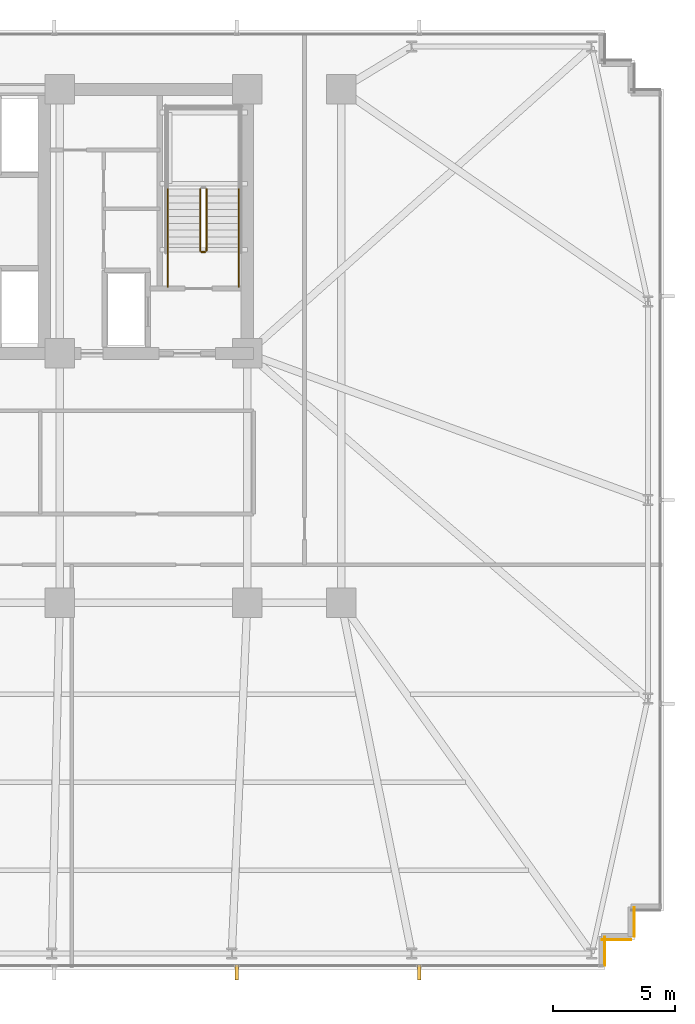
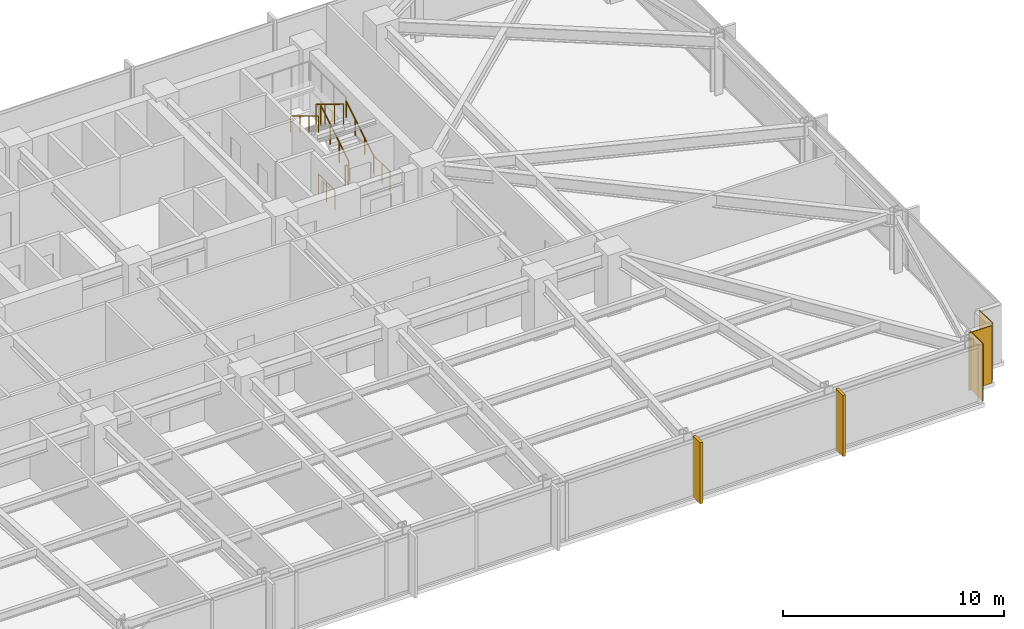
# One storey, part 29 of 32: 7 railings, 3 coverings, 2 shading devices.
"""IFC4 building model written with IfcOpenShell, lengths in metres."""

from ifc_helpers import new_model, si_unit, direction, frame, frame_2d, origin, origin_2d, place, context, subcontext, project, spatial, rectangle, circle, extrude, material, layer, layer_set, type_object, element, save


model = new_model("IFC4")

# Units and contexts
model_context = context("Model", 3, precision=1e-05, world=origin(), true_north=direction((0.0, 1.0)))
body_context = subcontext(model_context, "Body", "Model", "MODEL_VIEW")
ifc_project = project(units=[si_unit("LENGTHUNIT", "METRE"), si_unit("AREAUNIT", "SQUARE_METRE"), si_unit("VOLUMEUNIT", "CUBIC_METRE"), si_unit("PLANEANGLEUNIT", "RADIAN"), si_unit("MASSUNIT", "GRAM", prefix="KILO")], contexts=[model_context])

# Site, building, storey
site_placement = place(None, origin())
site = spatial("IfcSite", under=ifc_project, at=site_placement, CompositionType="ELEMENT")
building_placement = place(site_placement, origin())
building = spatial("IfcBuilding", under=site, at=building_placement, Name="Yelkora Congress Tower", CompositionType="ELEMENT")
storey_placement = place(building_placement, frame((0.0, 0.0, 57.60009765625)))
storey = spatial("IfcBuildingStorey", under=building, at=storey_placement, Name="L14", CompositionType="ELEMENT", Elevation=57.60009765625)

# Coverings
ifc_material_1 = material(Name="Anatolian bush-hammered limestone", Category="masonry")
ifc_layer_1 = layer(ifc_material_1, 0.0400390625)
ifc_layer_set_1 = layer_set([ifc_layer_1], Name="Anatolian bush-hammered limestone")
covering_type = type_object("IfcCoveringType", Name="COV-CLAD-SPANDREL-40", PredefinedType="CLADDING", material=ifc_layer_set_1)
for number, where, z_axis, x_axis, name in (
    (1, (69.594970703125, 12.739990234375, 0.0), (0.0, 0.0, 1.0), (0.0, -1.0, 0.0), "L14 Anatolian Limestone Cladding EW-L14-SR17"),
    (2, (69.4599609375, 11.405029296875, 0.0), (0.0, 0.0, 1.0), (-1.0, 0.0, 0.0), "L14 Anatolian Limestone Cladding EW-L14-SR18"),
    (3, (68.39501953125, 11.5400390625, 0.0), (0.0, 0.0, 1.0), (0.0, -1.0, 0.0), "L14 Anatolian Limestone Cladding EW-L14-SR19"),
):
    element("IfcCovering", number, at=place(storey_placement, frame(where, z_axis=z_axis, x_axis=x_axis)), inside=storey, type_object=covering_type, Name=name, PredefinedType="CLADDING", context=body_context, shape_type="SweptSolid", body=[
        extrude(rectangle(XDim=1.199951171875, YDim=0.0400390625, at=frame_2d((0.60009765625, 0.0))), origin(), (0.0, 0.0, 1.0), 3.179931640625),
    ])

# Railings
ifc_material_2 = material(Name="Painted galvanised steel stair well guard with vertical infill", Category="steel")
ifc_layer_2 = layer(ifc_material_2, 0.06005859375)
ifc_layer_set_2 = layer_set([ifc_layer_2], Name="Painted galvanised steel stair well guard with vertical infill")
railing_type_1 = type_object("IfcRailingType", Name="RAIL-STAIR-GUARD-1120", PredefinedType="GUARDRAIL", material=ifc_layer_set_2)
railing_1_placement = place(storey_placement, frame((52.090087890625, 39.60009765625, 0.169921875)))
element("IfcRailing", 4, at=railing_1_placement, inside=storey, type_object=railing_type_1, Name="ST-02 L14 Stair Well Guardrail 1", PredefinedType="GUARDRAIL", context=body_context, shape_type="SweptSolid", body=[
    extrude(circle(Radius=0.02392578125, at=origin_2d()), frame((0.0, 0.0, 1.09619140625), z_axis=(0.0, 0.85478489116, 0.518982456201), x_axis=(-1.0, 0.0, 0.0)), (0.0, 0.0, 1.0), 2.9482421875),
    extrude(circle(Radius=0.02099609375, at=origin_2d()), origin(), (0.0, 0.0, 1.0), 1.072021484375),
    extrude(circle(Radius=0.02099609375, at=origin_2d()), frame((0.0, 0.840087890625, 0.510009765625)), (0.0, 0.0, 1.0), 1.072021484375),
    extrude(circle(Radius=0.02099609375, at=origin_2d()), frame((0.0, 1.679931640625, 1.02001953125)), (0.0, 0.0, 1.0), 1.072021484375),
    extrude(circle(Radius=0.02099609375, at=origin_2d()), frame((0.0, 2.52001953125, 1.530029296875)), (0.0, 0.0, 1.0), 1.072021484375),
])
railing_2_placement = place(storey_placement, frame((51.830078125, 42.1201171875, 1.869873046875)))
element("IfcRailing", 5, at=railing_2_placement, inside=storey, type_object=railing_type_1, Name="ST-02 L14 Stair Well Guardrail 6", PredefinedType="GUARDRAIL", context=body_context, shape_type="SweptSolid", body=[
    extrude(circle(Radius=0.02392578125, at=origin_2d()), frame((0.0, 0.0, 1.09619140625), z_axis=(0.0, -0.85478489116, 0.518982456201), x_axis=(1.0, 0.0, 0.0)), (0.0, 0.0, 1.0), 2.9482421875),
    extrude(circle(Radius=0.02099609375, at=origin_2d()), origin(), (0.0, 0.0, 1.0), 1.072021484375),
    extrude(circle(Radius=0.02099609375, at=origin_2d()), frame((0.0, -0.840087890625, 0.510009765625)), (0.0, 0.0, 1.0), 1.072021484375),
    extrude(circle(Radius=0.02099609375, at=origin_2d()), frame((0.0, -1.679931640625, 1.02001953125)), (0.0, 0.0, 1.0), 1.072021484375),
    extrude(circle(Radius=0.02099609375, at=origin_2d()), frame((0.0, -2.52001953125, 1.530029296875)), (0.0, 0.0, 1.0), 1.072021484375),
])
railing_3_placement = place(storey_placement, frame((52.0400390625, 39.550048828125, 0.0)))
element("IfcRailing", 6, at=railing_3_placement, inside=storey, type_object=railing_type_1, Name="ST-02 L14 Stair Well Guardrail 7", PredefinedType="GUARDRAIL", context=body_context, shape_type="SweptSolid", body=[
    extrude(circle(Radius=0.02392578125, at=origin_2d()), frame((0.0, 0.0, 1.09619140625), z_axis=(-1.0, 0.0, 0.0), x_axis=(0.0, -1.0, 0.0)), (0.0, 0.0, 1.0), 0.16015625),
    extrude(circle(Radius=0.02099609375, at=origin_2d()), origin(), (0.0, 0.0, 1.0), 1.072021484375),
    extrude(circle(Radius=0.02099609375, at=origin_2d()), frame((-0.16015625, 0.0, 0.0)), (0.0, 0.0, 1.0), 1.072021484375),
])
for number, where, name in (
    (7, (53.409912109375, 38.1201171875, 0.0), "ST-02 L14 Stair Well Guardrail 8"),
    (8, (50.510009765625, 38.1201171875, 0.0), "ST-02 L14 Stair Well Guardrail 9"),
):
    element("IfcRailing", number, at=place(storey_placement, frame(where)), inside=storey, type_object=railing_type_1, Name=name, PredefinedType="GUARDRAIL", context=body_context, shape_type="SweptSolid", body=[
        extrude(circle(Radius=0.02392578125, at=origin_2d()), frame((0.0, 0.0, 1.09619140625), z_axis=(0.0, 1.0, 0.0), x_axis=(-1.0, 0.0, 0.0)), (0.0, 0.0, 1.0), 1.47998046875),
        extrude(circle(Radius=0.02099609375, at=origin_2d()), origin(), (0.0, 0.0, 1.0), 1.072021484375),
        extrude(circle(Radius=0.02099609375, at=origin_2d()), frame((0.0, 0.739990234375, 0.0)), (0.0, 0.0, 1.0), 1.072021484375),
        extrude(circle(Radius=0.02099609375, at=origin_2d()), frame((0.0, 1.47998046875, 0.0)), (0.0, 0.0, 1.0), 1.072021484375),
    ])
ifc_material_3 = material(Name="Brushed stainless steel tubular handrail", Category="steel")
ifc_layer_3 = layer(ifc_material_3, 0.050048828125)
ifc_layer_set_3 = layer_set([ifc_layer_3], Name="Brushed stainless steel tubular handrail")
railing_type_2 = type_object("IfcRailingType", Name="RAIL-STAIR-HAND-920", PredefinedType="HANDRAIL", material=ifc_layer_set_3)
railing_4_placement = place(storey_placement, frame((53.409912109375, 39.60009765625, 0.169921875)))
element("IfcRailing", 9, at=railing_4_placement, inside=storey, type_object=railing_type_2, Name="ST-02 L14 Pitch Handrail 1", PredefinedType="HANDRAIL", context=body_context, shape_type="SweptSolid", body=[
    extrude(circle(Radius=0.02392578125, at=origin_2d()), frame((0.0, 0.0, 0.89599609375), z_axis=(0.0, 0.85478489116, 0.518982456201), x_axis=(-1.0, 0.0, 0.0)), (0.0, 0.0, 1.0), 2.9482421875),
    extrude(circle(Radius=0.02099609375, at=origin_2d()), origin(), (0.0, 0.0, 1.0), 0.871826171875),
    extrude(circle(Radius=0.02099609375, at=origin_2d()), frame((0.0, 0.840087890625, 0.510009765625)), (0.0, 0.0, 1.0), 0.871826171875),
    extrude(circle(Radius=0.02099609375, at=origin_2d()), frame((0.0, 1.679931640625, 1.02001953125)), (0.0, 0.0, 1.0), 0.871826171875),
    extrude(circle(Radius=0.02099609375, at=origin_2d()), frame((0.0, 2.52001953125, 1.530029296875)), (0.0, 0.0, 1.0), 0.871826171875),
])
railing_5_placement = place(storey_placement, frame((50.510009765625, 42.1201171875, 1.869873046875)))
element("IfcRailing", 10, at=railing_5_placement, inside=storey, type_object=railing_type_2, Name="ST-02 L14 Pitch Handrail 2", PredefinedType="HANDRAIL", context=body_context, shape_type="SweptSolid", body=[
    extrude(circle(Radius=0.02392578125, at=origin_2d()), frame((0.0, 0.0, 0.89599609375), z_axis=(0.0, -0.85478489116, 0.518982456201), x_axis=(1.0, 0.0, 0.0)), (0.0, 0.0, 1.0), 2.9482421875),
    extrude(circle(Radius=0.02099609375, at=origin_2d()), origin(), (0.0, 0.0, 1.0), 0.871826171875),
    extrude(circle(Radius=0.02099609375, at=origin_2d()), frame((0.0, -0.840087890625, 0.510009765625)), (0.0, 0.0, 1.0), 0.871826171875),
    extrude(circle(Radius=0.02099609375, at=origin_2d()), frame((0.0, -1.679931640625, 1.02001953125)), (0.0, 0.0, 1.0), 0.871826171875),
    extrude(circle(Radius=0.02099609375, at=origin_2d()), frame((0.0, -2.52001953125, 1.530029296875)), (0.0, 0.0, 1.0), 0.871826171875),
])

# Shading devices
ifc_material_4 = material(Name="Champagne anodised aluminium", Category="aluminium")
ifc_layer_4 = layer(ifc_material_4, 3.39990234375)
ifc_layer_set_4 = layer_set([ifc_layer_4], Name="Champagne anodised aluminium")
shading_device_type = type_object("IfcShadingDeviceType", Name="SHD-FIN-ALU-640", PredefinedType="USERDEFINED", material=ifc_layer_set_4)
for number, where, z_axis, x_axis, name in (
    (11, (60.794921875, 10.080078125, -0.030029296875), (0.0, 0.0, 1.0), (-1.0, 0.0, 0.0), "L14 Vertical Anodised Solar Fin 20-1"),
    (12, (53.330078125, 10.080078125, -0.030029296875), (0.0, 0.0, 1.0), (-1.0, 0.0, 0.0), "L14 Vertical Anodised Solar Fin 20-2"),
):
    element("IfcShadingDevice", number, at=place(storey_placement, frame(where, z_axis=z_axis, x_axis=x_axis)), inside=storey, type_object=shading_device_type, Name=name, ObjectType="FIN", PredefinedType="USERDEFINED", context=body_context, shape_type="SweptSolid", body=[
        extrude(rectangle(XDim=0.139892578125, YDim=0.639892578125, at=origin_2d()), origin(), (0.0, 0.0, 1.0), 3.3798828125),
    ])

save(model, "model.ifc")
